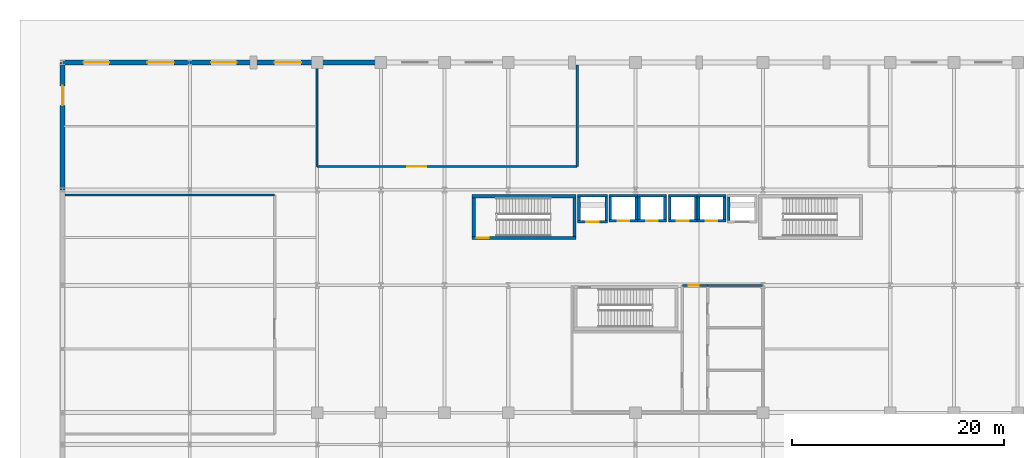
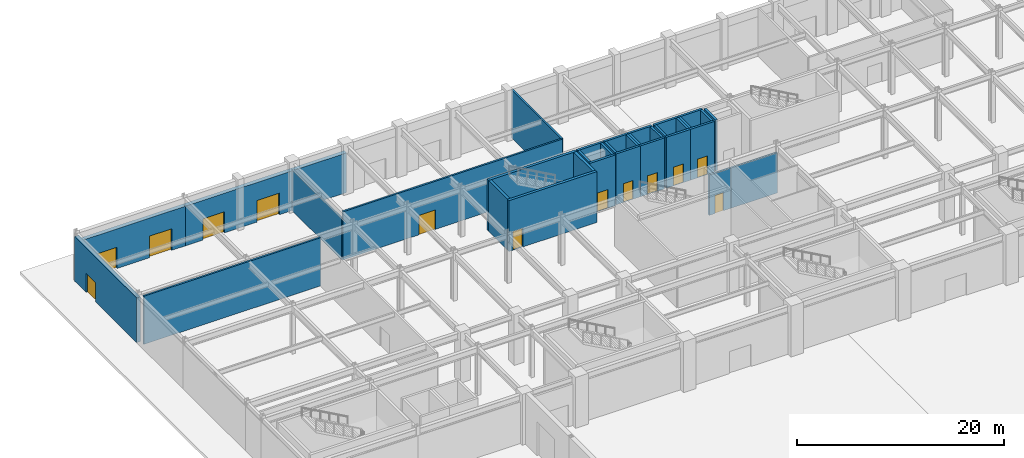
# One storey, part 25 of 44: 35 walls, 13 doors, 13 openings.
"""IFC4 building model written with IfcOpenShell, lengths in metres."""

import ifcopenshell
import ifcopenshell.guid

model = None  # the IFC model being written
_history = None  # IfcOwnerHistory: only IFC2X3 demands one
_inside = {}  # id of a spatial element -> (the spatial element, [elements in it])
_under = {}  # id of a project, library or spatial element -> (it, [spatial elements below it])
_declared = {}  # id of a project -> (the project, [libraries it declares])
_typed = {}  # id of a type object -> (the type object, [elements of that type])
_made_of = {}  # id of a material, layer set ... -> (it, [elements and type objects made of it])


def new_model(schema):
    """Start an empty IFC model of exactly this schema.

    Asked for "IFC4X3", IfcOpenShell would pick the latest addendum, in which some entities
    have other attributes; the version numbers below select the first issue.
    IFC2X3 requires an IfcOwnerHistory on every rooted entity: one is made here for all.
    """
    global model, _history
    if schema == "IFC4X3":
        model = ifcopenshell.file(schema_version=(4, 3, 0, 0))
    else:
        model = ifcopenshell.file(schema=schema)
    _inside.clear()
    _under.clear()
    _declared.clear()
    _typed.clear()
    _made_of.clear()
    _history = None
    if model.schema == "IFC2X3":
        org = make("IfcOrganization", Name="unknown")
        user = make(
            "IfcPersonAndOrganization",
            ThePerson=make("IfcPerson", FamilyName="unknown"),
            TheOrganization=org,
        )
        app = make(
            "IfcApplication",
            ApplicationDeveloper=org,
            Version="unknown",
            ApplicationFullName="unknown",
            ApplicationIdentifier="unknown",
        )
        _history = make(
            "IfcOwnerHistory",
            OwningUser=user,
            OwningApplication=app,
            ChangeAction="ADDED",
            CreationDate=0,
        )
    return model


def make(cls, **values):
    """One entity of the class cls with the attributes given. An attribute that is None is left unset."""
    return model.create_entity(
        cls, **{name: value for name, value in values.items() if value is not None}
    )


def rooted(cls, **values):
    """An entity with a GlobalId (a new one), such as an element, a storey or a relation."""
    return make(cls, GlobalId=ifcopenshell.guid.new(), OwnerHistory=_history, **values)


def si_unit(unit_type, name, prefix=None):
    """IfcSIUnit, for example si_unit("LENGTHUNIT", "METRE", prefix="MILLI")."""
    return make("IfcSIUnit", UnitType=unit_type, Prefix=prefix, Name=name)


def assignment(units):
    """IfcUnitAssignment: the units of a project."""
    return None if units is None else make("IfcUnitAssignment", Units=units)


def point(xyz):
    """IfcCartesianPoint."""
    return None if xyz is None else make("IfcCartesianPoint", Coordinates=xyz)


def direction(xyz):
    """IfcDirection."""
    return None if xyz is None else make("IfcDirection", DirectionRatios=xyz)


def frame(location, z_axis=None, x_axis=None):
    """IfcAxis2Placement3D, a coordinate frame: its origin and axes. An axis left out is left unset."""
    return make(
        "IfcAxis2Placement3D",
        Location=point(location),
        Axis=direction(z_axis),
        RefDirection=direction(x_axis),
    )


def frame_2d(location, x_axis=None):
    """IfcAxis2Placement2D, a coordinate frame in the plane: its origin and x axis."""
    return make(
        "IfcAxis2Placement2D", Location=point(location), RefDirection=direction(x_axis)
    )


def origin():
    """The frame at (0, 0, 0) with its axes left unset."""
    return frame((0.0, 0.0, 0.0))


def place(relative_to, where):
    """IfcLocalPlacement: puts the frame where relative to a parent placement (None: the world)."""
    return make(
        "IfcLocalPlacement", PlacementRelTo=relative_to, RelativePlacement=where
    )


def context(
    kind, dimensions, precision=None, world=None, true_north=None, identifier=None
):
    """IfcGeometricRepresentationContext, for example the 3D "Model" context."""
    return make(
        "IfcGeometricRepresentationContext",
        ContextIdentifier=identifier,
        ContextType=kind,
        CoordinateSpaceDimension=dimensions,
        Precision=precision,
        WorldCoordinateSystem=world,
        TrueNorth=true_north,
    )


def subcontext(parent, identifier, kind, view, scale=None):
    """IfcGeometricRepresentationSubContext, for example "Body" below "Model"."""
    return make(
        "IfcGeometricRepresentationSubContext",
        ContextIdentifier=identifier,
        ContextType=kind,
        ParentContext=parent,
        TargetScale=scale,
        TargetView=view,
    )


def project(units=None, contexts=None):
    """IfcProject with its units and contexts."""
    return rooted(
        "IfcProject",
        Name="project",
        RepresentationContexts=contexts,
        UnitsInContext=assignment(units),
    )


def spatial(cls, under=None, at=None, **own):
    """A site, building, storey or space (cls), placed at a placement, below another one or the project."""
    s = rooted(cls, ObjectPlacement=at, **own)
    if under is not None:
        _under.setdefault(under.id(), (under, []))[1].append(s)
    return s


def profile(cls, at=None, kind="AREA", **sizes):
    """A parametric profile (cls). Its sizes go by their IFC names, for example OverallWidth=200.0."""
    return make(cls, ProfileType=kind, Position=at, **sizes)


def rectangle(**sizes):
    """IfcRectangleProfileDef."""
    return profile("IfcRectangleProfileDef", **sizes)


def extrude(swept, where, along, depth):
    """IfcExtrudedAreaSolid: the profile swept, set in the frame where, extruded along a direction by depth."""
    return make(
        "IfcExtrudedAreaSolid",
        SweptArea=swept,
        Position=where,
        ExtrudedDirection=direction(along),
        Depth=depth,
    )


def shape(context_of_items, identifier, shape_type, items):
    """IfcShapeRepresentation: the items that make up one representation, for example the "Body"."""
    return make(
        "IfcShapeRepresentation",
        ContextOfItems=context_of_items,
        RepresentationIdentifier=identifier,
        RepresentationType=shape_type,
        Items=items,
    )


def material(Name=None, Category=None):
    """IfcMaterial."""
    return make("IfcMaterial", Name=Name, Category=Category)


def layer(
    of_material, thickness, ventilated=None, Name=None, Category=None, Priority=None
):
    """IfcMaterialLayer: one layer of a wall or slab, of a material (None: an air gap)."""
    return make(
        "IfcMaterialLayer",
        Material=of_material,
        LayerThickness=thickness,
        IsVentilated=ventilated,
        Name=Name,
        Category=Category,
        Priority=Priority,
    )


def layer_set(layers, Name=None):
    """IfcMaterialLayerSet."""
    return make("IfcMaterialLayerSet", MaterialLayers=layers, LayerSetName=Name)


def made_of(thing, what):
    """Note that an element or type object is made of a material, layer set ...; save() writes the relation."""
    if what is not None:
        _made_of.setdefault(what.id(), (what, []))[1].append(thing)
    return thing


def type_object(cls, material=None, **own):
    """A type object (cls), such as IfcWallType, which elements share."""
    return made_of(rooted(cls, **own), material)


def element(
    cls,
    number,
    at=None,
    inside=None,
    cuts=None,
    type_object=None,
    material=None,
    context=None,
    identifier="Body",
    shape_type=None,
    held_by="IfcProductDefinitionShape",
    body=None,
    shapes=None,
    **own,
):
    """One element of the class cls, such as IfcWall. Its Tag is "e" and its number.

    at: its placement. inside: the storey or other place that contains it. cuts: it is an
    opening in that element (IfcRelVoidsElement). A single representation is given by context,
    identifier, shape_type and body (its items); several are given by shapes. held_by: the class
    of the entity that holds the representations. save() writes the other relations.
    """
    e = rooted(cls, Tag="e%d" % number, ObjectPlacement=at, **own)
    if body is not None:
        shapes = [shape(context, identifier, shape_type, body)]
    if shapes is not None:
        e.Representation = make(held_by, Representations=shapes)
    if inside is not None:
        _inside.setdefault(inside.id(), (inside, []))[1].append(e)
    if cuts is not None:
        rooted(
            "IfcRelVoidsElement", RelatingBuildingElement=cuts, RelatedOpeningElement=e
        )
    if type_object is not None:
        _typed.setdefault(type_object.id(), (type_object, []))[1].append(e)
    return made_of(e, material)


def fill(opening, filler):
    """IfcRelFillsElement: the door or window that sits in an opening."""
    return rooted(
        "IfcRelFillsElement",
        RelatingOpeningElement=opening,
        RelatedBuildingElement=filler,
    )


def aggregate(whole, parts):
    """IfcRelAggregates: a whole, such as a stair, and the parts it consists of."""
    return rooted("IfcRelAggregates", RelatingObject=whole, RelatedObjects=parts)


def save(model, path):
    """Write the relations noted so far, then the file.

    IfcRelAggregates (storeys below a building ...), IfcRelContainedInSpatialStructure (elements
    in a storey), IfcRelDefinesByType, IfcRelAssociatesMaterial and IfcRelDeclares: one each for
    every whole, place, type object, material and project.
    """
    for whole, parts in _under.values():
        aggregate(whole, parts)
    for where, things in _inside.values():
        rooted(
            "IfcRelContainedInSpatialStructure",
            RelatedElements=things,
            RelatingStructure=where,
        )
    for kind, things in _typed.values():
        rooted("IfcRelDefinesByType", RelatedObjects=things, RelatingType=kind)
    for what, things in _made_of.values():
        rooted("IfcRelAssociatesMaterial", RelatedObjects=things, RelatingMaterial=what)
    for by, libraries in _declared.values():
        rooted("IfcRelDeclares", RelatingContext=by, RelatedDefinitions=libraries)
    model.write(path)


model = new_model("IFC4")

# Units and contexts
model_context = context("Model", 3, precision=1e-05, world=origin(), true_north=direction((0.0, 1.0)))
body_context = subcontext(model_context, "Body", "Model", "MODEL_VIEW")
ifc_project = project(units=[si_unit("LENGTHUNIT", "METRE"), si_unit("AREAUNIT", "SQUARE_METRE"), si_unit("VOLUMEUNIT", "CUBIC_METRE"), si_unit("PLANEANGLEUNIT", "RADIAN"), si_unit("MASSUNIT", "GRAM", prefix="KILO")], contexts=[model_context])

# Site, building, storey
site_placement = place(None, origin())
site = spatial("IfcSite", under=ifc_project, at=site_placement, CompositionType="ELEMENT")
building_placement = place(site_placement, origin())
building = spatial("IfcBuilding", under=site, at=building_placement, Name="Kaldorvane Square Convention Centre", CompositionType="ELEMENT")
storey_placement = place(building_placement, origin())
storey = spatial("IfcBuildingStorey", under=building, at=storey_placement, Name="L00", CompositionType="ELEMENT", Elevation=0.0)

# Wall, opening, door
ifc_material_1 = material(Name="Fire-Rated Gypsum Board on Acoustic Steel Studs", Category="steel")
ifc_layer_1 = layer(ifc_material_1, 0.1999969482421875)
ifc_layer_set_1 = layer_set([ifc_layer_1], Name="Fire-Rated Gypsum Board on Acoustic Steel Studs")
wall_type_1 = type_object("IfcWallType", Name="WL-CORR-200", PredefinedType="PARTITIONING", material=ifc_layer_set_1)
wall_1_placement = place(storey_placement, frame((58.399993896484375, 96.0, 0.0), z_axis=(0.0, 0.0, 1.0), x_axis=(1.0, 0.0, 0.0)))
wall_1 = element("IfcWall", 1, at=wall_1_placement, inside=storey, type_object=wall_type_1, Name="Restroom Vestibule Entry Header (L00)", PredefinedType="PARTITIONING", context=body_context, shape_type="SweptSolid", body=[
    extrude(rectangle(XDim=2.4000091552734375, YDim=0.1999969482421875, at=frame_2d((1.20001220703125, 0.0))), origin(), (0.0, 0.0, 1.0), 4.748992919921875),
])
opening_1_placement = place(wall_1_placement, frame((0.625, 0.0, 0.0)))
opening_1 = element("IfcOpeningElement", 2, at=opening_1_placement, cuts=wall_1, Name="Opening ID-13", PredefinedType="OPENING", context=body_context, shape_type="SweptSolid", body=[
    extrude(rectangle(XDim=0.9499969482421875, YDim=2.149993896484375, at=frame_2d((0.475006103515625, 1.0749969482421875))), frame((0.0, 0.114990234375, 0.0), z_axis=(0.0, -1.0, 0.0), x_axis=(1.0, 0.0, 0.0)), (0.0, 0.0, 1.0), 0.2299957275390625),
])
ifc_material_2 = material(Name="Architectural Solid-Core White Oak")
door_type_1 = type_object("IfcDoorType", Name="DR-WC-0950X2150", OperationType="SINGLE_SWING_LEFT", PredefinedType="DOOR", material=ifc_material_2)
door_1_placement = place(opening_1_placement, origin())
door_1 = element("IfcDoor", 3, at=door_1_placement, inside=storey, type_object=door_type_1, Name="Restroom Vestibule Door (L00)", OperationType="SINGLE_SWING_LEFT", OverallHeight=2.149993896484375, OverallWidth=0.9499969482421875, PredefinedType="DOOR", context=body_context, shape_type="SweptSolid", body=[
    extrude(rectangle(XDim=0.9499969482421875, YDim=2.149993896484375, at=frame_2d((0.475006103515625, 1.0749969482421875))), frame((0.0, 0.024993896484375, 0.0), z_axis=(0.0, -1.0, 0.0), x_axis=(1.0, 0.0, 0.0)), (0.0, 0.0, 1.0), 0.0500030517578125),
])
fill(opening_1, door_1)

# Wall
wall_2_placement = place(storey_placement, frame((60.80000305175781, 96.0, 0.0), z_axis=(0.0, 0.0, 1.0), x_axis=(1.0, 0.0, 0.0)))
element("IfcWall", 4, at=wall_2_placement, inside=storey, type_object=wall_type_1, Name="Restroom North Wall (L00)", PredefinedType="PARTITIONING", context=body_context, shape_type="SweptSolid", body=[
    extrude(rectangle(XDim=5.1999969482421875, YDim=0.1999969482421875, at=frame_2d((2.600006103515625, 0.0))), origin(), (0.0, 0.0, 1.0), 4.748992919921875),
])

# Wall, opening, door
wall_3_placement = place(storey_placement, frame((24.0, 107.19999694824219, 0.0), z_axis=(0.0, 0.0, 1.0), x_axis=(1.0, 0.0, 0.0)))
wall_3 = element("IfcWall", 5, at=wall_3_placement, inside=storey, type_object=wall_type_1, Name="Hotel Tower Arrival Lobby and Front Desk S Wall", PredefinedType="PARTITIONING", context=body_context, shape_type="SweptSolid", body=[
    extrude(rectangle(XDim=24.5, YDim=0.1999969482421875, at=frame_2d((12.25, 0.0))), origin(), (0.0, 0.0, 1.0), 5.67999267578125),
])
opening_2_placement = place(wall_3_placement, frame((8.5, 0.0, 0.0)))
opening_2 = element("IfcOpeningElement", 6, at=opening_2_placement, cuts=wall_3, Name="Opening ID-15", PredefinedType="OPENING", context=body_context, shape_type="SweptSolid", body=[
    extrude(rectangle(XDim=1.8000030517578125, YDim=2.3000030517578125, at=frame_2d((0.899993896484375, 1.149993896484375))), frame((0.0, 0.114990234375, 0.0), z_axis=(0.0, -1.0, 0.0), x_axis=(1.0, 0.0, 0.0)), (0.0, 0.0, 1.0), 0.2299957275390625),
])
ifc_material_3 = material(Name="Acoustic Laminated Glass in Aluminum Frame", Category="aluminium")
door_type_2 = type_object("IfcDoorType", Name="DR-GL-1800X2300", OperationType="DOUBLE_DOOR_SINGLE_SWING", PredefinedType="DOOR", material=ifc_material_3)
door_2_placement = place(opening_2_placement, origin())
door_2 = element("IfcDoor", 7, at=door_2_placement, inside=storey, type_object=door_type_2, Name="Hotel Tower Arrival Lobby and Front Desk Door 1", OperationType="DOUBLE_DOOR_SINGLE_SWING", OverallHeight=2.3000030517578125, OverallWidth=1.8000030517578125, PredefinedType="DOOR", context=body_context, shape_type="SweptSolid", body=[
    extrude(rectangle(XDim=1.8000030517578125, YDim=2.3000030517578125, at=frame_2d((0.899993896484375, 1.149993896484375))), frame((0.0, 0.024993896484375, 0.0), z_axis=(0.0, -1.0, 0.0), x_axis=(1.0, 0.0, 0.0)), (0.0, 0.0, 1.0), 0.0500030517578125),
])
fill(opening_2, door_2)

# Walls
wall_4_placement = place(storey_placement, frame((48.5, 107.19999694824219, 0.0), z_axis=(0.0, 0.0, 1.0), x_axis=(0.0, 1.0, 0.0)))
element("IfcWall", 8, at=wall_4_placement, inside=storey, type_object=wall_type_1, Name="Hotel Tower Arrival Lobby and Front Desk E Wall", PredefinedType="PARTITIONING", context=body_context, shape_type="SweptSolid", body=[
    extrude(rectangle(XDim=9.574996948242188, YDim=0.1999969482421875, at=frame_2d((4.787506103515625, 0.0))), origin(), (0.0, 0.0, 1.0), 5.67999267578125),
])
wall_5_placement = place(storey_placement, frame((24.0, 116.77499389648438, 0.0), z_axis=(0.0, 0.0, 1.0), x_axis=(0.0, -1.0, 0.0)))
element("IfcWall", 9, at=wall_5_placement, inside=storey, type_object=wall_type_1, Name="Hotel Tower Arrival Lobby and Front Desk W Wall", PredefinedType="PARTITIONING", context=body_context, shape_type="SweptSolid", body=[
    extrude(rectangle(XDim=9.574996948242188, YDim=0.1999969482421875, at=frame_2d((4.787506103515625, 0.0))), origin(), (0.0, 0.0, 1.0), 4.8300018310546875),
])
wall_6_placement = place(storey_placement, frame((20.0, 104.5, 0.0), z_axis=(0.0, 0.0, 1.0), x_axis=(-1.0, 0.0, 0.0)))
element("IfcWall", 10, at=wall_6_placement, inside=storey, type_object=wall_type_1, Name="Convention Registration and Show Management Suite N Wall", PredefinedType="PARTITIONING", context=body_context, shape_type="SweptSolid", body=[
    extrude(rectangle(XDim=19.774993896484375, YDim=0.1999969482421875, at=frame_2d((9.887496948242188, 0.0))), origin(), (0.0, 0.0, 1.0), 5.67999267578125),
])

# Wall, openings, doors
ifc_material_4 = material(Name="Concrete f'c = 42 MPa (Normalweight)", Category="concrete")
ifc_layer_2 = layer(ifc_material_4, 0.4499969482421875)
ifc_layer_set_2 = layer_set([ifc_layer_2], Name="Concrete f'c = 42 MPa (Normalweight)")
wall_type_2 = type_object("IfcWallType", Name="WL-EXT-450", PredefinedType="STANDARD", material=ifc_layer_set_2)
wall_7_placement = place(storey_placement, frame((12.0, 117.0, 0.0), z_axis=(0.0, 0.0, 1.0), x_axis=(-1.0, 0.0, 0.0)))
wall_7 = element("IfcWall", 11, at=wall_7_placement, inside=storey, type_object=wall_type_2, Name="North Square Brutalist Facade Wall (L00)", PredefinedType="STANDARD", context=body_context, shape_type="SweptSolid", body=[
    extrude(rectangle(XDim=12.0, YDim=0.4499969482421875, at=frame_2d((6.0, 0.0))), origin(), (0.0, 0.0, 1.0), 4.675994873046875),
])
opening_3_placement = place(wall_7_placement, frame((1.5, 0.0, 0.0)))
opening_3 = element("IfcOpeningElement", 12, at=opening_3_placement, cuts=wall_7, Name="Opening ED-01", PredefinedType="OPENING", context=body_context, shape_type="SweptSolid", body=[
    extrude(rectangle(XDim=2.5, YDim=2.5500030517578125, at=frame_2d((1.25, 1.274993896484375))), frame((0.0, 0.239990234375, 0.0), z_axis=(0.0, -1.0, 0.0), x_axis=(1.0, 0.0, 0.0)), (0.0, 0.0, 1.0), 0.4799957275390625),
])
opening_4_placement = place(wall_7_placement, frame((7.600006103515625, 0.0, 0.0)))
opening_4 = element("IfcOpeningElement", 13, at=opening_4_placement, cuts=wall_7, Name="Opening ED-02", PredefinedType="OPENING", context=body_context, shape_type="SweptSolid", body=[
    extrude(rectangle(XDim=2.399993896484375, YDim=2.5, at=frame_2d((1.1999969482421875, 1.25))), frame((0.0, 0.239990234375, 0.0), z_axis=(0.0, -1.0, 0.0), x_axis=(1.0, 0.0, 0.0)), (0.0, 0.0, 1.0), 0.4799957275390625),
])
ifc_material_5 = material(Name="Thermally Broken Aluminum and Tempered Glass", Category="aluminium")
door_type_3 = type_object("IfcDoorType", Name="DR-EXT-2400X2500", OperationType="DOUBLE_DOOR_SINGLE_SWING", PredefinedType="DOOR", material=ifc_material_5)
door_3_placement = place(opening_4_placement, origin())
door_3 = element("IfcDoor", 14, at=door_3_placement, inside=storey, type_object=door_type_3, Name="North Kaldorvane Square Entrance Exit Door 07", OperationType="DOUBLE_DOOR_SINGLE_SWING", OverallHeight=2.5, OverallWidth=2.399993896484375, PredefinedType="DOOR", context=body_context, shape_type="SweptSolid", body=[
    extrude(rectangle(XDim=2.399993896484375, YDim=2.5, at=frame_2d((1.1999969482421875, 1.25))), frame((0.0, 0.024993896484375, 0.0), z_axis=(0.0, -1.0, 0.0), x_axis=(1.0, 0.0, 0.0)), (0.0, 0.0, 1.0), 0.0500030517578125),
])
fill(opening_4, door_3)
door_type_4 = type_object("IfcDoorType", Name="DR-EXT-2500X2550", OperationType="DOUBLE_DOOR_SINGLE_SWING", PredefinedType="DOOR", material=ifc_material_5)
door_4_placement = place(opening_3_placement, origin())
door_4 = element("IfcDoor", 15, at=door_4_placement, inside=storey, type_object=door_type_4, Name="North Kaldorvane Square Entrance Exit Door 06", OperationType="DOUBLE_DOOR_SINGLE_SWING", OverallHeight=2.5500030517578125, OverallWidth=2.5, PredefinedType="DOOR", context=body_context, shape_type="SweptSolid", body=[
    extrude(rectangle(XDim=2.5, YDim=2.5500030517578125, at=frame_2d((1.25, 1.274993896484375))), frame((0.0, 0.024993896484375, 0.0), z_axis=(0.0, -1.0, 0.0), x_axis=(1.0, 0.0, 0.0)), (0.0, 0.0, 1.0), 0.0500030517578125),
])
fill(opening_3, door_4)

wall_8_placement = place(storey_placement, frame((24.0, 117.0, 0.0), z_axis=(0.0, 0.0, 1.0), x_axis=(-1.0, 0.0, 0.0)))
wall_8 = element("IfcWall", 16, at=wall_8_placement, inside=storey, type_object=wall_type_2, Name="North Square Brutalist Facade Wall (L00)", PredefinedType="STANDARD", context=body_context, shape_type="SweptSolid", body=[
    extrude(rectangle(XDim=12.0, YDim=0.4499969482421875, at=frame_2d((6.0, 0.0))), origin(), (0.0, 0.0, 1.0), 4.675994873046875),
])
opening_5_placement = place(wall_8_placement, frame((1.5, 0.0, 0.0)))
opening_5 = element("IfcOpeningElement", 17, at=opening_5_placement, cuts=wall_8, Name="Opening ED-01", PredefinedType="OPENING", context=body_context, shape_type="SweptSolid", body=[
    extrude(rectangle(XDim=2.5, YDim=2.5500030517578125, at=frame_2d((1.25, 1.274993896484375))), frame((0.0, 0.239990234375, 0.0), z_axis=(0.0, -1.0, 0.0), x_axis=(1.0, 0.0, 0.0)), (0.0, 0.0, 1.0), 0.4799957275390625),
])
opening_6_placement = place(wall_8_placement, frame((7.600006103515625, 0.0, 0.0)))
opening_6 = element("IfcOpeningElement", 18, at=opening_6_placement, cuts=wall_8, Name="Opening ED-02", PredefinedType="OPENING", context=body_context, shape_type="SweptSolid", body=[
    extrude(rectangle(XDim=2.399993896484375, YDim=2.5, at=frame_2d((1.1999969482421875, 1.25))), frame((0.0, 0.239990234375, 0.0), z_axis=(0.0, -1.0, 0.0), x_axis=(1.0, 0.0, 0.0)), (0.0, 0.0, 1.0), 0.4799957275390625),
])
door_5_placement = place(opening_6_placement, origin())
door_5 = element("IfcDoor", 19, at=door_5_placement, inside=storey, type_object=door_type_3, Name="North Kaldorvane Square Entrance Exit Door 09", OperationType="DOUBLE_DOOR_SINGLE_SWING", OverallHeight=2.5, OverallWidth=2.399993896484375, PredefinedType="DOOR", context=body_context, shape_type="SweptSolid", body=[
    extrude(rectangle(XDim=2.399993896484375, YDim=2.5, at=frame_2d((1.1999969482421875, 1.25))), frame((0.0, 0.024993896484375, 0.0), z_axis=(0.0, -1.0, 0.0), x_axis=(1.0, 0.0, 0.0)), (0.0, 0.0, 1.0), 0.0500030517578125),
])
fill(opening_6, door_5)
door_6_placement = place(opening_5_placement, origin())
door_6 = element("IfcDoor", 20, at=door_6_placement, inside=storey, type_object=door_type_4, Name="North Kaldorvane Square Entrance Exit Door 08", OperationType="DOUBLE_DOOR_SINGLE_SWING", OverallHeight=2.5500030517578125, OverallWidth=2.5, PredefinedType="DOOR", context=body_context, shape_type="SweptSolid", body=[
    extrude(rectangle(XDim=2.5, YDim=2.5500030517578125, at=frame_2d((1.25, 1.274993896484375))), frame((0.0, 0.024993896484375, 0.0), z_axis=(0.0, -1.0, 0.0), x_axis=(1.0, 0.0, 0.0)), (0.0, 0.0, 1.0), 0.0500030517578125),
])
fill(opening_5, door_6)

# Wall
wall_9_placement = place(storey_placement, frame((30.0, 117.0, 0.0), z_axis=(0.0, 0.0, 1.0), x_axis=(-1.0, 0.0, 0.0)))
element("IfcWall", 21, at=wall_9_placement, inside=storey, type_object=wall_type_2, Name="North Square Brutalist Facade Wall (L00)", PredefinedType="STANDARD", context=body_context, shape_type="SweptSolid", body=[
    extrude(rectangle(XDim=6.0, YDim=0.4499969482421875, at=frame_2d((3.0, 0.0))), origin(), (0.0, 0.0, 1.0), 4.675994873046875),
])

# Wall, opening, door
wall_10_placement = place(storey_placement, frame((0.0, 117.0, 0.0), z_axis=(0.0, 0.0, 1.0), x_axis=(0.0, -1.0, 0.0)))
wall_10 = element("IfcWall", 22, at=wall_10_placement, inside=storey, type_object=wall_type_2, Name="West Service Spine Wall (L00)", PredefinedType="STANDARD", context=body_context, shape_type="SweptSolid", body=[
    extrude(rectangle(XDim=12.0, YDim=0.4499969482421875, at=frame_2d((6.0, 0.0))), origin(), (0.0, 0.0, 1.0), 5.2689971923828125),
])
opening_7_placement = place(wall_10_placement, frame((2.1999969482421875, 0.0, 0.0)))
opening_7 = element("IfcOpeningElement", 23, at=opening_7_placement, cuts=wall_10, Name="Opening ED-06", PredefinedType="OPENING", context=body_context, shape_type="SweptSolid", body=[
    extrude(rectangle(XDim=1.850006103515625, YDim=2.25, at=frame_2d((0.9250030517578125, 1.125))), frame((0.0, 0.239990234375, 0.0), z_axis=(0.0, -1.0, 0.0), x_axis=(1.0, 0.0, 0.0)), (0.0, 0.0, 1.0), 0.4799957275390625),
])
door_type_5 = type_object("IfcDoorType", Name="DR-EXT-1850X2250", OperationType="DOUBLE_DOOR_SINGLE_SWING", PredefinedType="DOOR", material=ifc_material_5)
door_7_placement = place(opening_7_placement, origin())
door_7 = element("IfcDoor", 24, at=door_7_placement, inside=storey, type_object=door_type_5, Name="West Spine Exit Discharge Door 47", OperationType="DOUBLE_DOOR_SINGLE_SWING", OverallHeight=2.25, OverallWidth=1.850006103515625, PredefinedType="DOOR", context=body_context, shape_type="SweptSolid", body=[
    extrude(rectangle(XDim=1.850006103515625, YDim=2.25, at=frame_2d((0.9250030517578125, 1.125))), frame((0.0, 0.024993896484375, 0.0), z_axis=(0.0, -1.0, 0.0), x_axis=(1.0, 0.0, 0.0)), (0.0, 0.0, 1.0), 0.0500030517578125),
])
fill(opening_7, door_7)

ifc_material_6 = material(Name="Concrete f'c = 55 MPa (Normalweight)", Category="concrete")
ifc_layer_3 = layer(ifc_material_6, 0.3000030517578125)
ifc_layer_set_3 = layer_set([ifc_layer_3], Name="Concrete f'c = 55 MPa (Normalweight)")
wall_type_3 = type_object("IfcWallType", Name="WL-SHAFT-300", PredefinedType="SHEAR", material=ifc_layer_set_3)
wall_11_placement = place(storey_placement, frame((38.600006103515625, 100.46000671386719, 0.0), z_axis=(0.0, 0.0, 1.0), x_axis=(1.0, 0.0, 0.0)))
wall_11 = element("IfcWall", 25, at=wall_11_placement, inside=storey, type_object=wall_type_3, Name="Core Enclosure Wall stair:ST-T1-S (L00)", PredefinedType="SHEAR", context=body_context, shape_type="SweptSolid", body=[
    extrude(rectangle(XDim=9.79998779296875, YDim=0.3000030517578125, at=frame_2d((4.899993896484375, 0.0))), origin(), (0.0, 0.0, 1.0), 6.0),
])
opening_8_placement = place(wall_11_placement, frame((0.4499969482421875, 0.0, 0.0)))
opening_8 = element("IfcOpeningElement", 26, at=opening_8_placement, cuts=wall_11, Name="Opening FD90-S1", PredefinedType="OPENING", context=body_context, shape_type="SweptSolid", body=[
    extrude(rectangle(XDim=1.100006103515625, YDim=2.1999969482421875, at=frame_2d((0.5500030517578125, 1.100006103515625))), frame((0.0, 0.165008544921875, 0.0), z_axis=(0.0, -1.0, 0.0), x_axis=(1.0, 0.0, 0.0)), (0.0, 0.0, 1.0), 0.3300018310546875),
])
ifc_material_7 = material(Name="Fire-Rated Hollow Metal Steel", Category="steel")
door_type_6 = type_object("IfcDoorType", Name="DR-STAIR-1100", OperationType="SINGLE_SWING_RIGHT", PredefinedType="DOOR", material=ifc_material_7)
door_8_placement = place(opening_8_placement, origin())
door_8 = element("IfcDoor", 27, at=door_8_placement, inside=storey, type_object=door_type_6, Name="Tower Exit Stair T1 Fire Door (L00)", OperationType="SINGLE_SWING_RIGHT", OverallHeight=2.1999969482421875, OverallWidth=1.100006103515625, PredefinedType="DOOR", context=body_context, shape_type="SweptSolid", body=[
    extrude(rectangle(XDim=1.100006103515625, YDim=2.1999969482421875, at=frame_2d((0.5500030517578125, 1.100006103515625))), frame((0.0, 0.024993896484375, 0.0), z_axis=(0.0, -1.0, 0.0), x_axis=(1.0, 0.0, 0.0)), (0.0, 0.0, 1.0), 0.0500030517578125),
])
fill(opening_8, door_8)

# Walls
wall_12_placement = place(storey_placement, frame((48.399993896484375, 104.39999389648438, 0.0), z_axis=(0.0, 0.0, 1.0), x_axis=(-1.0, 0.0, 0.0)))
element("IfcWall", 28, at=wall_12_placement, inside=storey, type_object=wall_type_3, Name="Core Enclosure Wall stair:ST-T1-N (L00)", PredefinedType="SHEAR", context=body_context, shape_type="SweptSolid", body=[
    extrude(rectangle(XDim=9.79998779296875, YDim=0.3000030517578125, at=frame_2d((4.899993896484375, 0.0))), origin(), (0.0, 0.0, 1.0), 6.0),
])
for number, where, z_axis, x_axis, name in (
    (29, (38.75, 104.25, 0.0), (0.0, 0.0, 1.0), (0.0, -1.0, 0.0), "Core Enclosure Wall stair:ST-T1-W (L00)"),
    (30, (48.25, 100.61000061035156, 0.0), (0.0, 0.0, 1.0), (0.0, 1.0, 0.0), "Core Enclosure Wall stair:ST-T1-E (L00)"),
):
    element("IfcWall", number, at=place(storey_placement, frame(where, z_axis=z_axis, x_axis=x_axis)), inside=storey, type_object=wall_type_3, Name=name, PredefinedType="SHEAR", context=body_context, shape_type="SweptSolid", body=[
        extrude(rectangle(XDim=3.6399993896484375, YDim=0.3000030517578125, at=frame_2d((1.82000732421875, 0.0))), origin(), (0.0, 0.0, 1.0), 6.0),
    ])

# Wall, opening, door
wall_13_placement = place(storey_placement, frame((48.55000305175781, 101.97500610351562, 0.0), z_axis=(0.0, 0.0, 1.0), x_axis=(1.0, 0.0, 0.0)))
wall_13 = element("IfcWall", 31, at=wall_13_placement, inside=storey, type_object=wall_type_3, Name="Core Enclosure Wall lift:FSAE-01-S (L00)", PredefinedType="SHEAR", context=body_context, shape_type="SweptSolid", body=[
    extrude(rectangle(XDim=2.8000030517578125, YDim=0.25, at=frame_2d((1.399993896484375, 0.0))), origin(), (0.0, 0.0, 1.0), 6.0),
])
opening_9_placement = place(wall_13_placement, frame((0.8000030517578125, 0.0, 0.0)))
opening_9 = element("IfcOpeningElement", 32, at=opening_9_placement, cuts=wall_13, Name="Opening LD-02", PredefinedType="OPENING", context=body_context, shape_type="SweptSolid", body=[
    extrude(rectangle(XDim=1.1999969482421875, YDim=2.1999969482421875, at=frame_2d((0.600006103515625, 1.100006103515625))), frame((0.0, 0.1399993896484375, 0.0), z_axis=(0.0, -1.0, 0.0), x_axis=(1.0, 0.0, 0.0)), (0.0, 0.0, 1.0), 0.279998779296875),
])
ifc_material_8 = material(Name="Stainless Steel Elevator Door Assembly", Category="steel")
door_type_7 = type_object("IfcDoorType", Name="DR-LIFT-1200", OperationType="DOUBLE_DOOR_SLIDING", PredefinedType="DOOR", material=ifc_material_8)
door_9_placement = place(opening_9_placement, origin())
door_9 = element("IfcDoor", 33, at=door_9_placement, inside=storey, type_object=door_type_7, Name="Elevator Landing Door FSAE-01 (L00)", OperationType="DOUBLE_DOOR_SLIDING", OverallHeight=2.1999969482421875, OverallWidth=1.1999969482421875, PredefinedType="DOOR", context=body_context, shape_type="SweptSolid", body=[
    extrude(rectangle(XDim=1.1999969482421875, YDim=2.1999969482421875, at=frame_2d((0.600006103515625, 1.100006103515625))), frame((0.0, 0.024993896484375, 0.0), z_axis=(0.0, -1.0, 0.0), x_axis=(1.0, 0.0, 0.0)), (0.0, 0.0, 1.0), 0.0500030517578125),
])
fill(opening_9, door_9)

# Walls
wall_14_placement = place(storey_placement, frame((51.350006103515625, 104.42500305175781, 0.0), z_axis=(0.0, 0.0, 1.0), x_axis=(-1.0, 0.0, 0.0)))
element("IfcWall", 34, at=wall_14_placement, inside=storey, type_object=wall_type_3, Name="Core Enclosure Wall lift:FSAE-01-N (L00)", PredefinedType="SHEAR", context=body_context, shape_type="SweptSolid", body=[
    extrude(rectangle(XDim=2.8000030517578125, YDim=0.25, at=frame_2d((1.399993896484375, 0.0))), origin(), (0.0, 0.0, 1.0), 6.0),
])
for number, where, z_axis, x_axis, name in (
    (35, (48.67500305175781, 104.30000305175781, 0.0), (0.0, 0.0, 1.0), (0.0, -1.0, 0.0), "Core Enclosure Wall lift:FSAE-01-W (L00)"),
    (36, (51.225006103515625, 102.10000610351562, 0.0), (0.0, 0.0, 1.0), (0.0, 1.0, 0.0), "Core Enclosure Wall lift:FSAE-01-E (L00)"),
    (37, (62.774993896484375, 104.30000305175781, 0.0), (0.0, 0.0, 1.0), (0.0, -1.0, 0.0), "Core Enclosure Wall lift:FSAE-02-W (L00)"),
):
    element("IfcWall", number, at=place(storey_placement, frame(where, z_axis=z_axis, x_axis=x_axis)), inside=storey, type_object=wall_type_3, Name=name, PredefinedType="SHEAR", context=body_context, shape_type="SweptSolid", body=[
        extrude(rectangle(XDim=2.1999969482421875, YDim=0.25, at=frame_2d((1.100006103515625, 0.0))), origin(), (0.0, 0.0, 1.0), 6.0),
    ])

# Wall, opening, door
wall_15_placement = place(storey_placement, frame((51.5, 102.07499694824219, 0.0), z_axis=(0.0, 0.0, 1.0), x_axis=(1.0, 0.0, 0.0)))
wall_15 = element("IfcWall", 38, at=wall_15_placement, inside=storey, type_object=wall_type_3, Name="Core Enclosure Wall lift:EL-P1-S (L00)", PredefinedType="SHEAR", context=body_context, shape_type="SweptSolid", body=[
    extrude(rectangle(XDim=2.6999969482421875, YDim=0.25, at=frame_2d((1.350006103515625, 0.0))), origin(), (0.0, 0.0, 1.0), 6.0),
])
opening_10_placement = place(wall_15_placement, frame((0.8000030517578125, 0.0, 0.0)))
opening_10 = element("IfcOpeningElement", 39, at=opening_10_placement, cuts=wall_15, Name="Opening LD-01", PredefinedType="OPENING", context=body_context, shape_type="SweptSolid", body=[
    extrude(rectangle(XDim=1.100006103515625, YDim=2.1999969482421875, at=frame_2d((0.5500030517578125, 1.100006103515625))), frame((0.0, 0.1399993896484375, 0.0), z_axis=(0.0, -1.0, 0.0), x_axis=(1.0, 0.0, 0.0)), (0.0, 0.0, 1.0), 0.279998779296875),
])
door_type_8 = type_object("IfcDoorType", Name="DR-LIFT-1100", OperationType="DOUBLE_DOOR_SLIDING", PredefinedType="DOOR", material=ifc_material_8)
door_10_placement = place(opening_10_placement, origin())
door_10 = element("IfcDoor", 40, at=door_10_placement, inside=storey, type_object=door_type_8, Name="Elevator Landing Door EL-P1 (L00)", OperationType="DOUBLE_DOOR_SLIDING", OverallHeight=2.1999969482421875, OverallWidth=1.100006103515625, PredefinedType="DOOR", context=body_context, shape_type="SweptSolid", body=[
    extrude(rectangle(XDim=1.100006103515625, YDim=2.1999969482421875, at=frame_2d((0.5500030517578125, 1.100006103515625))), frame((0.0, 0.024993896484375, 0.0), z_axis=(0.0, -1.0, 0.0), x_axis=(1.0, 0.0, 0.0)), (0.0, 0.0, 1.0), 0.0500030517578125),
])
fill(opening_10, door_10)

# Walls
wall_16_placement = place(storey_placement, frame((54.19999694824219, 104.42500305175781, 0.0), z_axis=(0.0, 0.0, 1.0), x_axis=(-1.0, 0.0, 0.0)))
element("IfcWall", 41, at=wall_16_placement, inside=storey, type_object=wall_type_3, Name="Core Enclosure Wall lift:EL-P1-N (L00)", PredefinedType="SHEAR", context=body_context, shape_type="SweptSolid", body=[
    extrude(rectangle(XDim=2.6999969482421875, YDim=0.25, at=frame_2d((1.350006103515625, 0.0))), origin(), (0.0, 0.0, 1.0), 6.0),
])
for number, where, z_axis, x_axis, name in (
    (42, (51.625, 104.30000305175781, 0.0), (0.0, 0.0, 1.0), (0.0, -1.0, 0.0), "Core Enclosure Wall lift:EL-P1-W (L00)"),
    (43, (54.07499694824219, 102.19999694824219, 0.0), (0.0, 0.0, 1.0), (0.0, 1.0, 0.0), "Core Enclosure Wall lift:EL-P1-E (L00)"),
):
    element("IfcWall", number, at=place(storey_placement, frame(where, z_axis=z_axis, x_axis=x_axis)), inside=storey, type_object=wall_type_3, Name=name, PredefinedType="SHEAR", context=body_context, shape_type="SweptSolid", body=[
        extrude(rectangle(XDim=2.100006103515625, YDim=0.25, at=frame_2d((1.0500030517578125, 0.0))), origin(), (0.0, 0.0, 1.0), 6.0),
    ])

# Wall, opening, door
wall_17_placement = place(storey_placement, frame((54.19999694824219, 102.07499694824219, 0.0), z_axis=(0.0, 0.0, 1.0), x_axis=(1.0, 0.0, 0.0)))
wall_17 = element("IfcWall", 44, at=wall_17_placement, inside=storey, type_object=wall_type_3, Name="Core Enclosure Wall lift:EL-P2-S (L00)", PredefinedType="SHEAR", context=body_context, shape_type="SweptSolid", body=[
    extrude(rectangle(XDim=2.6999969482421875, YDim=0.25, at=frame_2d((1.350006103515625, 0.0))), origin(), (0.0, 0.0, 1.0), 6.0),
])
opening_11_placement = place(wall_17_placement, frame((0.8000030517578125, 0.0, 0.0)))
opening_11 = element("IfcOpeningElement", 45, at=opening_11_placement, cuts=wall_17, Name="Opening LD-01", PredefinedType="OPENING", context=body_context, shape_type="SweptSolid", body=[
    extrude(rectangle(XDim=1.100006103515625, YDim=2.1999969482421875, at=frame_2d((0.5500030517578125, 1.100006103515625))), frame((0.0, 0.1399993896484375, 0.0), z_axis=(0.0, -1.0, 0.0), x_axis=(1.0, 0.0, 0.0)), (0.0, 0.0, 1.0), 0.279998779296875),
])
door_11_placement = place(opening_11_placement, origin())
door_11 = element("IfcDoor", 46, at=door_11_placement, inside=storey, type_object=door_type_8, Name="Elevator Landing Door EL-P2 (L00)", OperationType="DOUBLE_DOOR_SLIDING", OverallHeight=2.1999969482421875, OverallWidth=1.100006103515625, PredefinedType="DOOR", context=body_context, shape_type="SweptSolid", body=[
    extrude(rectangle(XDim=1.100006103515625, YDim=2.1999969482421875, at=frame_2d((0.5500030517578125, 1.100006103515625))), frame((0.0, 0.024993896484375, 0.0), z_axis=(0.0, -1.0, 0.0), x_axis=(1.0, 0.0, 0.0)), (0.0, 0.0, 1.0), 0.0500030517578125),
])
fill(opening_11, door_11)

# Walls
wall_18_placement = place(storey_placement, frame((56.899993896484375, 104.42500305175781, 0.0), z_axis=(0.0, 0.0, 1.0), x_axis=(-1.0, 0.0, 0.0)))
element("IfcWall", 47, at=wall_18_placement, inside=storey, type_object=wall_type_3, Name="Core Enclosure Wall lift:EL-P2-N (L00)", PredefinedType="SHEAR", context=body_context, shape_type="SweptSolid", body=[
    extrude(rectangle(XDim=2.6999969482421875, YDim=0.25, at=frame_2d((1.350006103515625, 0.0))), origin(), (0.0, 0.0, 1.0), 6.0),
])
for number, where, z_axis, x_axis, name in (
    (48, (54.32499694824219, 104.30000305175781, 0.0), (0.0, 0.0, 1.0), (0.0, -1.0, 0.0), "Core Enclosure Wall lift:EL-P2-W (L00)"),
    (49, (56.774993896484375, 102.19999694824219, 0.0), (0.0, 0.0, 1.0), (0.0, 1.0, 0.0), "Core Enclosure Wall lift:EL-P2-E (L00)"),
):
    element("IfcWall", number, at=place(storey_placement, frame(where, z_axis=z_axis, x_axis=x_axis)), inside=storey, type_object=wall_type_3, Name=name, PredefinedType="SHEAR", context=body_context, shape_type="SweptSolid", body=[
        extrude(rectangle(XDim=2.100006103515625, YDim=0.25, at=frame_2d((1.0500030517578125, 0.0))), origin(), (0.0, 0.0, 1.0), 6.0),
    ])

# Wall, opening, door
wall_19_placement = place(storey_placement, frame((57.100006103515625, 102.07499694824219, 0.0), z_axis=(0.0, 0.0, 1.0), x_axis=(1.0, 0.0, 0.0)))
wall_19 = element("IfcWall", 50, at=wall_19_placement, inside=storey, type_object=wall_type_3, Name="Core Enclosure Wall lift:EL-P3-S (L00)", PredefinedType="SHEAR", context=body_context, shape_type="SweptSolid", body=[
    extrude(rectangle(XDim=2.6999969482421875, YDim=0.25, at=frame_2d((1.350006103515625, 0.0))), origin(), (0.0, 0.0, 1.0), 6.0),
])
opening_12_placement = place(wall_19_placement, frame((0.8000030517578125, 0.0, 0.0)))
opening_12 = element("IfcOpeningElement", 51, at=opening_12_placement, cuts=wall_19, Name="Opening LD-01", PredefinedType="OPENING", context=body_context, shape_type="SweptSolid", body=[
    extrude(rectangle(XDim=1.100006103515625, YDim=2.1999969482421875, at=frame_2d((0.5500030517578125, 1.100006103515625))), frame((0.0, 0.1399993896484375, 0.0), z_axis=(0.0, -1.0, 0.0), x_axis=(1.0, 0.0, 0.0)), (0.0, 0.0, 1.0), 0.279998779296875),
])
door_12_placement = place(opening_12_placement, origin())
door_12 = element("IfcDoor", 52, at=door_12_placement, inside=storey, type_object=door_type_8, Name="Elevator Landing Door EL-P3 (L00)", OperationType="DOUBLE_DOOR_SLIDING", OverallHeight=2.1999969482421875, OverallWidth=1.100006103515625, PredefinedType="DOOR", context=body_context, shape_type="SweptSolid", body=[
    extrude(rectangle(XDim=1.100006103515625, YDim=2.1999969482421875, at=frame_2d((0.5500030517578125, 1.100006103515625))), frame((0.0, 0.024993896484375, 0.0), z_axis=(0.0, -1.0, 0.0), x_axis=(1.0, 0.0, 0.0)), (0.0, 0.0, 1.0), 0.0500030517578125),
])
fill(opening_12, door_12)

# Walls
wall_20_placement = place(storey_placement, frame((59.80000305175781, 104.42500305175781, 0.0), z_axis=(0.0, 0.0, 1.0), x_axis=(-1.0, 0.0, 0.0)))
element("IfcWall", 53, at=wall_20_placement, inside=storey, type_object=wall_type_3, Name="Core Enclosure Wall lift:EL-P3-N (L00)", PredefinedType="SHEAR", context=body_context, shape_type="SweptSolid", body=[
    extrude(rectangle(XDim=2.6999969482421875, YDim=0.25, at=frame_2d((1.350006103515625, 0.0))), origin(), (0.0, 0.0, 1.0), 6.0),
])
for number, where, z_axis, x_axis, name in (
    (54, (57.225006103515625, 104.30000305175781, 0.0), (0.0, 0.0, 1.0), (0.0, -1.0, 0.0), "Core Enclosure Wall lift:EL-P3-W (L00)"),
    (55, (59.67500305175781, 102.19999694824219, 0.0), (0.0, 0.0, 1.0), (0.0, 1.0, 0.0), "Core Enclosure Wall lift:EL-P3-E (L00)"),
):
    element("IfcWall", number, at=place(storey_placement, frame(where, z_axis=z_axis, x_axis=x_axis)), inside=storey, type_object=wall_type_3, Name=name, PredefinedType="SHEAR", context=body_context, shape_type="SweptSolid", body=[
        extrude(rectangle(XDim=2.100006103515625, YDim=0.25, at=frame_2d((1.0500030517578125, 0.0))), origin(), (0.0, 0.0, 1.0), 6.0),
    ])

# Wall, opening, door
wall_21_placement = place(storey_placement, frame((59.80000305175781, 102.07499694824219, 0.0), z_axis=(0.0, 0.0, 1.0), x_axis=(1.0, 0.0, 0.0)))
wall_21 = element("IfcWall", 56, at=wall_21_placement, inside=storey, type_object=wall_type_3, Name="Core Enclosure Wall lift:EL-P4-S (L00)", PredefinedType="SHEAR", context=body_context, shape_type="SweptSolid", body=[
    extrude(rectangle(XDim=2.6999969482421875, YDim=0.25, at=frame_2d((1.350006103515625, 0.0))), origin(), (0.0, 0.0, 1.0), 6.0),
])
opening_13_placement = place(wall_21_placement, frame((0.8000030517578125, 0.0, 0.0)))
opening_13 = element("IfcOpeningElement", 57, at=opening_13_placement, cuts=wall_21, Name="Opening LD-01", PredefinedType="OPENING", context=body_context, shape_type="SweptSolid", body=[
    extrude(rectangle(XDim=1.100006103515625, YDim=2.1999969482421875, at=frame_2d((0.5500030517578125, 1.100006103515625))), frame((0.0, 0.1399993896484375, 0.0), z_axis=(0.0, -1.0, 0.0), x_axis=(1.0, 0.0, 0.0)), (0.0, 0.0, 1.0), 0.279998779296875),
])
door_13_placement = place(opening_13_placement, origin())
door_13 = element("IfcDoor", 58, at=door_13_placement, inside=storey, type_object=door_type_8, Name="Elevator Landing Door EL-P4 (L00)", OperationType="DOUBLE_DOOR_SLIDING", OverallHeight=2.1999969482421875, OverallWidth=1.100006103515625, PredefinedType="DOOR", context=body_context, shape_type="SweptSolid", body=[
    extrude(rectangle(XDim=1.100006103515625, YDim=2.1999969482421875, at=frame_2d((0.5500030517578125, 1.100006103515625))), frame((0.0, 0.024993896484375, 0.0), z_axis=(0.0, -1.0, 0.0), x_axis=(1.0, 0.0, 0.0)), (0.0, 0.0, 1.0), 0.0500030517578125),
])
fill(opening_13, door_13)

# Walls
wall_22_placement = place(storey_placement, frame((62.5, 104.42500305175781, 0.0), z_axis=(0.0, 0.0, 1.0), x_axis=(-1.0, 0.0, 0.0)))
element("IfcWall", 59, at=wall_22_placement, inside=storey, type_object=wall_type_3, Name="Core Enclosure Wall lift:EL-P4-N (L00)", PredefinedType="SHEAR", context=body_context, shape_type="SweptSolid", body=[
    extrude(rectangle(XDim=2.6999969482421875, YDim=0.25, at=frame_2d((1.350006103515625, 0.0))), origin(), (0.0, 0.0, 1.0), 6.0),
])
for number, where, z_axis, x_axis, name in (
    (60, (59.92500305175781, 104.30000305175781, 0.0), (0.0, 0.0, 1.0), (0.0, -1.0, 0.0), "Core Enclosure Wall lift:EL-P4-W (L00)"),
    (61, (62.375, 102.19999694824219, 0.0), (0.0, 0.0, 1.0), (0.0, 1.0, 0.0), "Core Enclosure Wall lift:EL-P4-E (L00)"),
):
    element("IfcWall", number, at=place(storey_placement, frame(where, z_axis=z_axis, x_axis=x_axis)), inside=storey, type_object=wall_type_3, Name=name, PredefinedType="SHEAR", context=body_context, shape_type="SweptSolid", body=[
        extrude(rectangle(XDim=2.100006103515625, YDim=0.25, at=frame_2d((1.0500030517578125, 0.0))), origin(), (0.0, 0.0, 1.0), 6.0),
    ])

save(model, "model.ifc")
